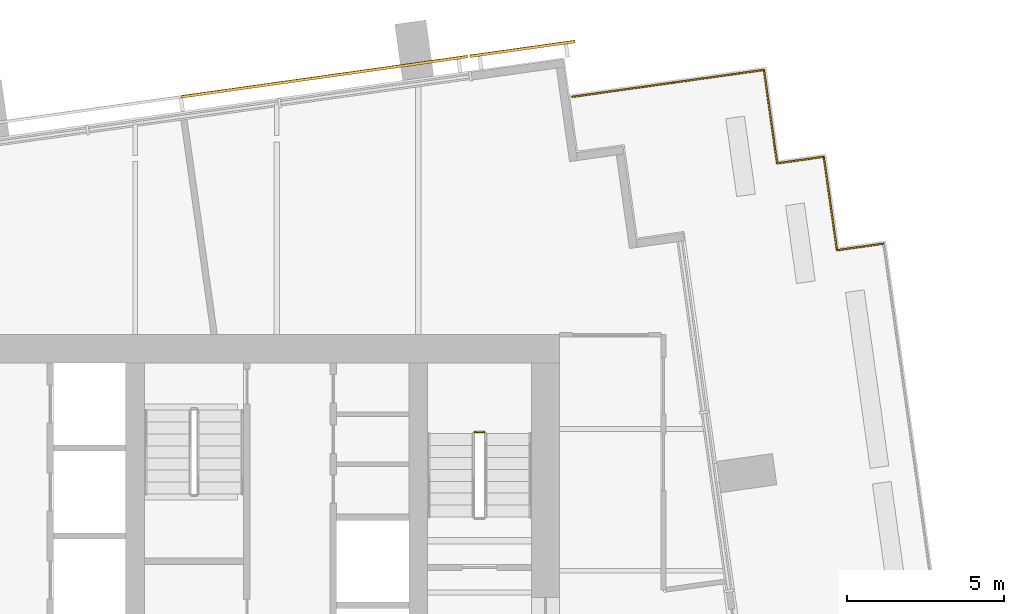
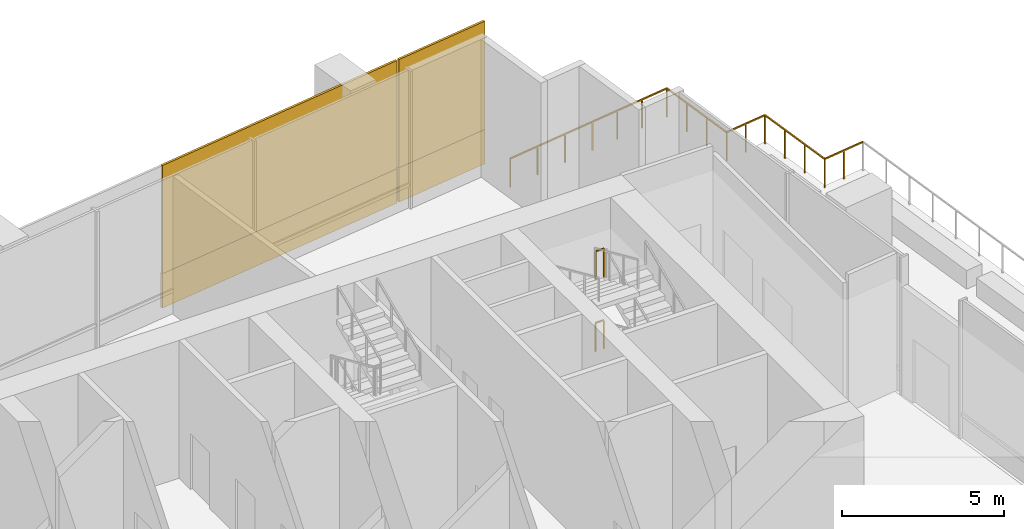
# One storey, part 14 of 14: 7 railings, 4 coverings.
"""IFC4 building model written with IfcOpenShell, lengths in metres."""

from ifc_helpers import new_model, si_unit, direction, frame, origin, origin_2d, place, context, subcontext, project, spatial, rectangle, extrude, material, layer, layer_set, type_object, element, save


model = new_model("IFC4")

# Units and contexts
model_context = context("Model", 3, precision=1e-05, world=origin(), true_north=direction((0.0, 1.0)))
body_context = subcontext(model_context, "Body", "Model", "MODEL_VIEW")
ifc_project = project(units=[si_unit("LENGTHUNIT", "METRE"), si_unit("AREAUNIT", "SQUARE_METRE"), si_unit("VOLUMEUNIT", "CUBIC_METRE"), si_unit("PLANEANGLEUNIT", "RADIAN"), si_unit("MASSUNIT", "GRAM", prefix="KILO")], contexts=[model_context])

# Site, building, storey
site_placement = place(None, origin())
site = spatial("IfcSite", under=ifc_project, at=site_placement, CompositionType="ELEMENT")
building_placement = place(site_placement, origin())
building = spatial("IfcBuilding", under=site, at=building_placement, Name="Rattan Terrace Tower", CompositionType="ELEMENT")
storey_placement = place(building_placement, frame((0.0, 0.0, 249.699951171875)))
storey = spatial("IfcBuildingStorey", under=building, at=storey_placement, Name="L57", CompositionType="ELEMENT", Elevation=249.699951171875)

# Railings
ifc_material_1 = material(Name="Powder-coated steel guard", Category="steel")
railing_type_1 = type_object("IfcRailingType", Name="Core stair guard", PredefinedType="GUARDRAIL", material=ifc_material_1)
for number, where, name in (
    (1, (15.60009765625, 4.409912109375, 1.35009765625), "L57 S2 stair guard 2"),
    (2, (15.60009765625, 4.409912109375, 4.050048828125), "L57 S2 stair guard 6"),
):
    element("IfcRailing", number, at=place(storey_placement, frame(where)), inside=storey, type_object=railing_type_1, Name=name, PredefinedType="GUARDRAIL", context=body_context, shape_type="SweptSolid", body=[
        extrude(rectangle(XDim=0.048095703125, YDim=0.048095703125, at=origin_2d()), frame((0.0, 0.0, 1.076171875), z_axis=(-1.0, 0.0, 0.0), x_axis=(0.0, -1.0, 0.0)), (0.0, 0.0, 1.0), 0.300048828125),
        extrude(rectangle(XDim=0.0419921875, YDim=0.0419921875, at=origin_2d()), origin(), (0.0, 0.0, 1.0), 1.052001953125),
        extrude(rectangle(XDim=0.0419921875, YDim=0.0419921875, at=origin_2d()), frame((-0.300048828125, 0.0, 0.0)), (0.0, 0.0, 1.0), 1.052001953125),
    ])
ifc_material_2 = material(Name="Stainless steel 316", Category="steel")
railing_type_2 = type_object("IfcRailingType", Name="Facade Guard 1100", PredefinedType="GUARDRAIL", material=ifc_material_2)
railing_1_placement = place(storey_placement, frame((18.406982421875, 15.06591796875, 0.0)))
element("IfcRailing", 3, at=railing_1_placement, inside=storey, type_object=railing_type_2, Name="Terrace guard L57-1-1", PredefinedType="GUARDRAIL", context=body_context, shape_type="SweptSolid", body=[
    extrude(rectangle(XDim=0.048095703125, YDim=0.048095703125, at=origin_2d()), frame((0.0, 0.0, 1.076171875), z_axis=(0.990270758106, 0.139153963793, 0.0), x_axis=(-0.139153963793, 0.990270758106, 0.0)), (0.0, 0.0, 1.0), 3.2265625),
    extrude(rectangle(XDim=0.048095703125, YDim=0.048095703125, at=origin_2d()), frame((3.195068359375, 0.448974609375, 1.076171875), z_axis=(0.990287717845, 0.139033218639, 0.0), x_axis=(-0.139033218639, 0.990287717845, 0.0)), (0.0, 0.0, 1.0), 2.920166015625),
    extrude(rectangle(XDim=0.0419921875, YDim=0.0419921875, at=origin_2d()), origin(), (0.0, 0.0, 1.0), 1.052001953125),
    extrude(rectangle(XDim=0.0419921875, YDim=0.0419921875, at=origin_2d()), frame((1.06494140625, 0.149658203125, 0.0)), (0.0, 0.0, 1.0), 1.052001953125),
    extrude(rectangle(XDim=0.0419921875, YDim=0.0419921875, at=origin_2d()), frame((2.130126953125, 0.29931640625, 0.0)), (0.0, 0.0, 1.0), 1.052001953125),
    extrude(rectangle(XDim=0.0419921875, YDim=0.0419921875, at=origin_2d()), frame((3.195068359375, 0.448974609375, 0.0)), (0.0, 0.0, 1.0), 1.052001953125),
    extrude(rectangle(XDim=0.0419921875, YDim=0.0419921875, at=origin_2d()), frame((4.158935546875, 0.584228515625, 0.0)), (0.0, 0.0, 1.0), 1.052001953125),
    extrude(rectangle(XDim=0.0419921875, YDim=0.0419921875, at=origin_2d()), frame((5.123046875, 0.7197265625, 0.0)), (0.0, 0.0, 1.0), 1.052001953125),
])
railing_2_placement = place(storey_placement, frame((24.493896484375, 15.9208984375, 0.0)))
element("IfcRailing", 4, at=railing_2_placement, inside=storey, type_object=railing_type_2, Name="Terrace guard L57-1-2", PredefinedType="GUARDRAIL", context=body_context, shape_type="SweptSolid", body=[
    extrude(rectangle(XDim=0.048095703125, YDim=0.048095703125, at=origin_2d()), frame((0.0, 0.0, 1.076171875), z_axis=(0.139393225799, -0.990237107263, 0.0), x_axis=(0.990237107263, 0.139393225799, 0.0)), (0.0, 0.0, 1.0), 3.000244140625),
    extrude(rectangle(XDim=0.0419921875, YDim=0.0419921875, at=origin_2d()), origin(), (0.0, 0.0, 1.0), 1.052001953125),
    extrude(rectangle(XDim=0.0419921875, YDim=0.0419921875, at=origin_2d()), frame((0.139404296875, -0.990234375, 0.0)), (0.0, 0.0, 1.0), 1.052001953125),
    extrude(rectangle(XDim=0.0419921875, YDim=0.0419921875, at=origin_2d()), frame((0.27880859375, -1.980712890625, 0.0)), (0.0, 0.0, 1.0), 1.052001953125),
])
railing_3_placement = place(storey_placement, frame((24.912109375, 12.949951171875, 0.0)))
element("IfcRailing", 5, at=railing_3_placement, inside=storey, type_object=railing_type_2, Name="Terrace guard L57-1-3", PredefinedType="GUARDRAIL", context=body_context, shape_type="SweptSolid", body=[
    extrude(rectangle(XDim=0.048095703125, YDim=0.048095703125, at=origin_2d()), frame((0.0, 0.0, 1.076171875), z_axis=(0.990240434918, 0.139369584395, 0.0), x_axis=(-0.139369584395, 0.990240434918, 0.0)), (0.0, 0.0, 1.0), 1.49951171875),
    extrude(rectangle(XDim=0.0419921875, YDim=0.0419921875, at=origin_2d()), origin(), (0.0, 0.0, 1.0), 1.052001953125),
    extrude(rectangle(XDim=0.0419921875, YDim=0.0419921875, at=origin_2d()), frame((0.742431640625, 0.1044921875, 0.0)), (0.0, 0.0, 1.0), 1.052001953125),
])
railing_4_placement = place(storey_placement, frame((26.39697265625, 13.158935546875, 0.0)))
element("IfcRailing", 6, at=railing_4_placement, inside=storey, type_object=railing_type_2, Name="Terrace guard L57-1-4", PredefinedType="GUARDRAIL", context=body_context, shape_type="SweptSolid", body=[
    extrude(rectangle(XDim=0.048095703125, YDim=0.048095703125, at=origin_2d()), frame((0.0, 0.0, 1.076171875), z_axis=(0.139313431826, -0.990248336385, 0.0), x_axis=(0.990248336385, 0.139313431826, 0.0)), (0.0, 0.0, 1.0), 3.000244140625),
    extrude(rectangle(XDim=0.0419921875, YDim=0.0419921875, at=origin_2d()), origin(), (0.0, 0.0, 1.0), 1.052001953125),
    extrude(rectangle(XDim=0.0419921875, YDim=0.0419921875, at=origin_2d()), frame((0.139404296875, -0.990234375, 0.0)), (0.0, 0.0, 1.0), 1.052001953125),
    extrude(rectangle(XDim=0.0419921875, YDim=0.0419921875, at=origin_2d()), frame((0.278564453125, -1.980712890625, 0.0)), (0.0, 0.0, 1.0), 1.052001953125),
])
railing_5_placement = place(storey_placement, frame((26.81494140625, 10.18798828125, 0.0)))
element("IfcRailing", 7, at=railing_5_placement, inside=storey, type_object=railing_type_2, Name="Terrace guard L57-1-5", PredefinedType="GUARDRAIL", context=body_context, shape_type="SweptSolid", body=[
    extrude(rectangle(XDim=0.048095703125, YDim=0.048095703125, at=origin_2d()), frame((0.0, 0.0, 1.076171875), z_axis=(0.990243596651, 0.13934711799, 0.0), x_axis=(-0.13934711799, 0.990243596651, 0.0)), (0.0, 0.0, 1.0), 1.499755859375),
    extrude(rectangle(XDim=0.0419921875, YDim=0.0419921875, at=origin_2d()), origin(), (0.0, 0.0, 1.0), 1.052001953125),
    extrude(rectangle(XDim=0.0419921875, YDim=0.0419921875, at=origin_2d()), frame((0.74267578125, 0.1044921875, 0.0)), (0.0, 0.0, 1.0), 1.052001953125),
])

# Coverings
ifc_material_3 = material(Name="Solid terracotta", Category="masonry")
ifc_layer_1 = layer(ifc_material_3, 0.090087890625)
ifc_layer_set_1 = layer_set([ifc_layer_1], Name="Facade Terracotta Band Panel HZ")
covering_type_1 = type_object("IfcCoveringType", Name="Facade Terracotta Band Panel HZ", PredefinedType="CLADDING", material=ifc_layer_set_1)
covering_1_placement = place(storey_placement, frame((16.819091796875, 16.59033203125, -0.18994140625), z_axis=(0.0, 0.0, 1.0), x_axis=(-0.990286729519, -0.139040257974, 0.0)))
element("IfcCovering", 8, at=covering_1_placement, inside=storey, type_object=covering_type_1, Name="OUTER SKIN panel L57-1A", PredefinedType="CLADDING", context=body_context, shape_type="SweptSolid", body=[
    extrude(rectangle(XDim=3.368896484375, YDim=0.090087890625, at=origin_2d()), origin(), (0.0, 0.0, 1.0), 1.300048828125),
])
covering_2_placement = place(storey_placement, frame((10.516845703125, 15.70458984375, -0.18994140625), z_axis=(0.0, 0.0, 1.0), x_axis=(-0.990265894013, -0.139188574079, 0.0)))
element("IfcCovering", 9, at=covering_2_placement, inside=storey, type_object=covering_type_1, Name="OUTER SKIN panel L57-2A", PredefinedType="CLADDING", context=body_context, shape_type="SweptSolid", body=[
    extrude(rectangle(XDim=9.198974609375, YDim=0.090087890625, at=origin_2d()), origin(), (0.0, 0.0, 1.0), 1.300048828125),
])
ifc_material_4 = material(Name="Perforated terracotta", Category="masonry")
ifc_layer_2 = layer(ifc_material_4, 0.080078125)
ifc_layer_set_2 = layer_set([ifc_layer_2], Name="Facade Terracotta Screen Panel HZ")
covering_type_2 = type_object("IfcCoveringType", Name="Facade Terracotta Screen Panel HZ", PredefinedType="CLADDING", material=ifc_layer_set_2)
covering_3_placement = place(storey_placement, frame((16.81982421875, 16.585205078125, 1.110107421875), z_axis=(0.0, 0.0, 1.0), x_axis=(-0.990286729519, -0.139040257974, 0.0)))
element("IfcCovering", 10, at=covering_3_placement, inside=storey, type_object=covering_type_2, Name="OUTER SKIN panel L57-1B", PredefinedType="CLADDING", context=body_context, shape_type="SweptSolid", body=[
    extrude(rectangle(XDim=3.368896484375, YDim=0.080078125, at=origin_2d()), origin(), (0.0, 0.0, 1.0), 4.080078125),
])
covering_4_placement = place(storey_placement, frame((10.517578125, 15.69970703125, 1.110107421875), z_axis=(0.0, 0.0, 1.0), x_axis=(-0.990265894013, -0.139188574079, 0.0)))
element("IfcCovering", 11, at=covering_4_placement, inside=storey, type_object=covering_type_2, Name="OUTER SKIN panel L57-2B", PredefinedType="CLADDING", context=body_context, shape_type="SweptSolid", body=[
    extrude(rectangle(XDim=9.198974609375, YDim=0.080078125, at=origin_2d()), origin(), (0.0, 0.0, 1.0), 4.080078125),
])

save(model, "model.ifc")
